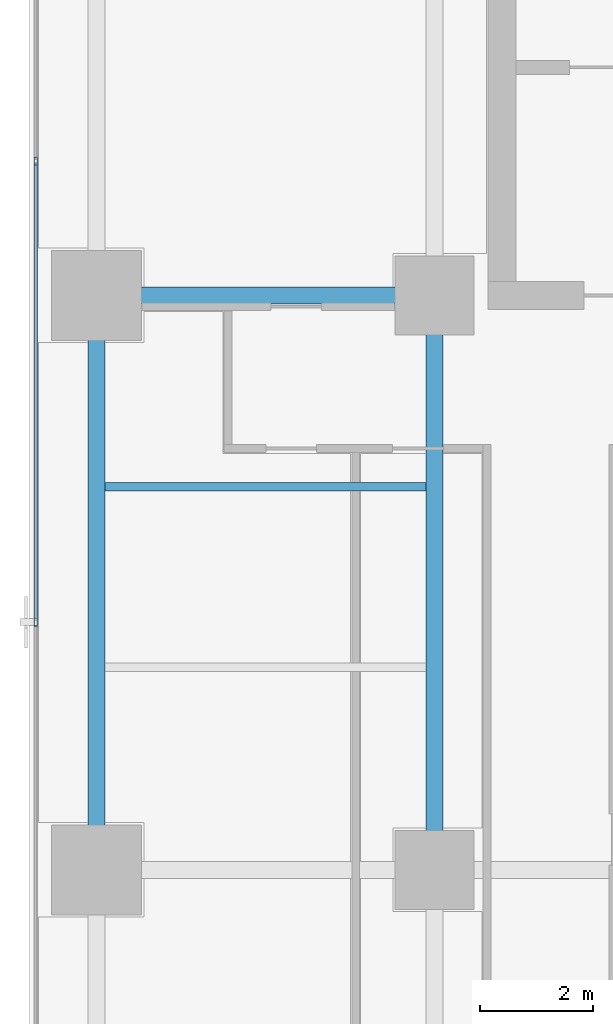
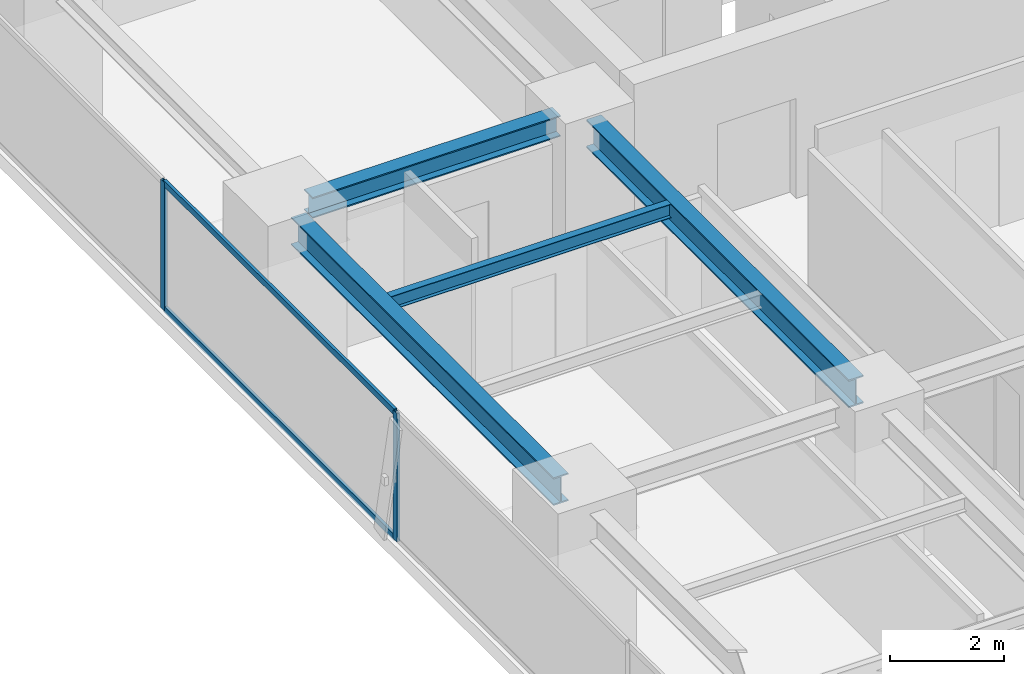
# One storey, part 8 of 30: 4 beams, 4 members, 1 element without a shape of its own.
"""IFC4 building model written with IfcOpenShell, lengths in metres."""

from ifc_helpers import new_model, si_unit, direction, frame, origin, origin_2d, place, context, subcontext, project, spatial, hollow_rectangle, i_section, extrude, source, transform, mapped, material, layer, layer_set, material_profile, profile_set, type_object, element, aggregate, save


model = new_model("IFC4")

# Units and contexts
model_context = context("Model", 3, precision=1e-05, world=origin(), true_north=direction((0.0, 1.0)))
body_context = subcontext(model_context, "Body", "Model", "MODEL_VIEW")
ifc_project = project(units=[si_unit("LENGTHUNIT", "METRE"), si_unit("AREAUNIT", "SQUARE_METRE"), si_unit("VOLUMEUNIT", "CUBIC_METRE"), si_unit("PLANEANGLEUNIT", "RADIAN"), si_unit("MASSUNIT", "GRAM", prefix="KILO")], contexts=[model_context])

# Site, building, storey
site_placement = place(None, origin())
site = spatial("IfcSite", under=ifc_project, at=site_placement, CompositionType="ELEMENT")
building_placement = place(site_placement, origin())
building = spatial("IfcBuilding", under=site, at=building_placement, Name="Sumidabori Civic Tower", CompositionType="ELEMENT")
storey_placement = place(building_placement, frame((0.0, 0.0, 196.39990234375)))
storey = spatial("IfcBuildingStorey", under=building, at=storey_placement, Name="L50", CompositionType="ELEMENT", Elevation=196.39990234375)

# Beams
ifc_material_1 = material(Name="Steel SN490", Category="steel")
ifc_material_profile_1 = material_profile(ifc_material_1, i_section(OverallWidth=0.300048828125, OverallDepth=0.60009765625, WebThickness=0.015380859375, FlangeThickness=0.030029296875, at=origin_2d()), Name="HE 600 B")
ifc_profile_set_1 = profile_set([ifc_material_profile_1], Name="Steel SN490")
beam_type_1 = type_object("IfcBeamType", Name="BM-GIRD-600", PredefinedType="BEAM", material=ifc_profile_set_1)
shared_shape_1 = source(origin(), body_context, "Body", "SweptSolid", [
    extrude(i_section(OverallWidth=0.300048828125, OverallDepth=0.60009765625, WebThickness=0.015380859375, FlangeThickness=0.030029296875, at=origin_2d()), origin(), (0.0, 0.0, 1.0), 9.239990234375),
])
for number, where, z_axis, x_axis, name in (
    (1, (-22.800048828125, 0.47998046875, 3.080078125), (0.0, 1.0, 0.0), (-1.0, 0.0, 0.0), "Primary Girder L50 GY-12"),
    (2, (-16.800048828125, 0.47998046875, 3.080078125), (0.0, 1.0, 0.0), (-1.0, 0.0, 0.0), "Primary Girder L50 GY-15"),
):
    element("IfcBeam", number, at=place(storey_placement, frame(where, z_axis=z_axis, x_axis=x_axis)), inside=storey, type_object=beam_type_1, Name=name, PredefinedType="BEAM", context=body_context, shape_type="MappedRepresentation", body=[
        mapped(shared_shape_1, transform((0.0, 0.0, 0.0), x_axis=(1.0, 0.0, 0.0), y_axis=(0.0, 1.0, 0.0), z_axis=(0.0, 0.0, 1.0), scale=1.0)),
    ])
ifc_material_profile_2 = material_profile(ifc_material_1, i_section(OverallWidth=0.14990234375, OverallDepth=0.300048828125, WebThickness=0.007080078125, FlangeThickness=0.0107421875, at=origin_2d()), Name="IPE 300")
ifc_profile_set_2 = profile_set([ifc_material_profile_2], Name="Steel SN490")
beam_type_2 = type_object("IfcBeamType", Name="BM-JST-300", PredefinedType="JOIST", material=ifc_profile_set_2)
shared_shape_2 = source(origin(), body_context, "Body", "SweptSolid", [
    extrude(i_section(OverallWidth=0.14990234375, OverallDepth=0.300048828125, WebThickness=0.007080078125, FlangeThickness=0.0107421875, at=origin_2d()), origin(), (0.0, 0.0, 1.0), 5.699951171875),
])
beam_1_placement = place(storey_placement, frame((-22.64990234375, 6.800048828125, 3.22998046875), z_axis=(1.0, 0.0, 0.0), x_axis=(0.0, 1.0, 0.0)))
element("IfcBeam", 3, at=beam_1_placement, inside=storey, type_object=beam_type_2, Name="Outer Bay Floor Joist L50 JSTO-31", PredefinedType="JOIST", context=body_context, shape_type="MappedRepresentation", body=[
    mapped(shared_shape_2, transform((0.0, 0.0, 0.0), x_axis=(1.0, 0.0, 0.0), y_axis=(0.0, 1.0, 0.0), z_axis=(0.0, 0.0, 1.0), scale=1.0)),
])
ifc_material_profile_3 = material_profile(ifc_material_1, i_section(OverallWidth=0.300048828125, OverallDepth=0.449951171875, WebThickness=0.013916015625, FlangeThickness=0.02587890625, at=origin_2d()), Name="HE 450 B")
ifc_profile_set_3 = profile_set([ifc_material_profile_3], Name="Steel SN490")
beam_type_3 = type_object("IfcBeamType", Name="BM-GIRD-450", PredefinedType="BEAM", material=ifc_profile_set_3)
shared_shape_3 = source(origin(), body_context, "Body", "SweptSolid", [
    extrude(i_section(OverallWidth=0.300048828125, OverallDepth=0.449951171875, WebThickness=0.013916015625, FlangeThickness=0.02587890625, at=origin_2d()), origin(), (0.0, 0.0, 1.0), 5.0400390625),
])
beam_2_placement = place(storey_placement, frame((-22.320068359375, 10.199951171875, 3.155029296875), z_axis=(1.0, 0.0, 0.0), x_axis=(0.0, 1.0, 0.0)))
element("IfcBeam", 4, at=beam_2_placement, inside=storey, type_object=beam_type_3, Name="Primary Girder L50 GX-09", PredefinedType="BEAM", context=body_context, shape_type="MappedRepresentation", body=[
    mapped(shared_shape_3, transform((0.0, 0.0, 0.0), x_axis=(1.0, 0.0, 0.0), y_axis=(0.0, 1.0, 0.0), z_axis=(0.0, 0.0, 1.0), scale=1.0)),
])

# Curtain wall, members
ifc_material_2 = material(Name="Anodised Bronze Aluminium AW-6063-T6", Category="aluminium")
ifc_layer = layer(ifc_material_2, 0.179931640625, Name="Anodised Bronze Aluminium AW-6063-T6")
ifc_layer_set = layer_set([ifc_layer], Name="Anodised Bronze Aluminium AW-6063-T6")
curtain_wall_type = type_object("IfcCurtainWallType", Name="CW-SYS-5", PredefinedType="NOTDEFINED", material=ifc_layer_set)
curtain_wall_placement = place(storey_placement, origin())
curtain_wall = element("IfcCurtainWall", 5, at=curtain_wall_placement, inside=storey, type_object=curtain_wall_type, Name="Curtain Wall CW:L50:R16", PredefinedType="NOTDEFINED")
ifc_material_profile_4 = material_profile(ifc_material_2, hollow_rectangle(XDim=0.06005859375, YDim=0.139892578125, WallThickness=0.0048828125, at=origin_2d()), Name="ALU MULLION 140x60")
ifc_profile_set_4 = profile_set([ifc_material_profile_4], Name="Anodised Bronze Aluminium AW-6063-T6")
member_type_1 = type_object("IfcMemberType", Name="CW-MUL-140", PredefinedType="MULLION", material=ifc_profile_set_4)
shared_shape_4 = source(origin(), body_context, "Body", "SweptSolid", [
    extrude(hollow_rectangle(XDim=0.06005859375, YDim=0.139892578125, WallThickness=0.0048828125, at=origin_2d()), origin(), (0.0, 0.0, 1.0), 2.760009765625),
])
member_1_placement = place(storey_placement, frame((-23.8798828125, 12.5849609375, 0.0), z_axis=(0.0, 0.0, 1.0), x_axis=(1.0, 0.0, 0.0)))
member_1 = element("IfcMember", 6, at=member_1_placement, type_object=member_type_1, Name="CW-5 mullion 2", PredefinedType="MULLION", context=body_context, shape_type="MappedRepresentation", body=[
    mapped(shared_shape_4, transform((0.0, 0.0, 0.0), x_axis=(1.0, 0.0, 0.0), y_axis=(0.0, 1.0, 0.0), z_axis=(0.0, 0.0, 1.0), scale=1.0)),
])
member_2_placement = place(storey_placement, frame((-23.8798828125, 4.39990234375, 0.0), z_axis=(0.0, 0.0, 1.0), x_axis=(1.0, 0.0, 0.0)))
member_2 = element("IfcMember", 7, at=member_2_placement, type_object=member_type_1, Name="CW-5 mullion 3", PredefinedType="MULLION", context=body_context, shape_type="MappedRepresentation", body=[
    mapped(shared_shape_4, transform((0.0, 0.0, 0.0), x_axis=(1.0, 0.0, 0.0), y_axis=(0.0, 1.0, 0.0), z_axis=(0.0, 0.0, 1.0), scale=1.0)),
])
ifc_material_profile_5 = material_profile(ifc_material_2, hollow_rectangle(XDim=0.06005859375, YDim=0.1298828125, WallThickness=0.0048828125, at=origin_2d()), Name="ALU TRANSOM 130x60")
ifc_profile_set_5 = profile_set([ifc_material_profile_5], Name="Anodised Bronze Aluminium AW-6063-T6")
member_type_2 = type_object("IfcMemberType", Name="CW-TRN-130", PredefinedType="USERDEFINED", material=ifc_profile_set_5)
shared_shape_5 = source(origin(), body_context, "Body", "SweptSolid", [
    extrude(hollow_rectangle(XDim=0.06005859375, YDim=0.1298828125, WallThickness=0.0048828125, at=origin_2d()), origin(), (0.0, 0.0, 1.0), 8.125),
])
member_3_placement = place(storey_placement, frame((-23.8798828125, 12.554931640625, 0.030029296875), z_axis=(0.0, -1.0, 0.0), x_axis=(1.0, 0.0, 0.0)))
member_3 = element("IfcMember", 8, at=member_3_placement, type_object=member_type_2, Name="CW-5 transom 2.1", ObjectType="TRANSOM", PredefinedType="USERDEFINED", context=body_context, shape_type="MappedRepresentation", body=[
    mapped(shared_shape_5, transform((0.0, 0.0, 0.0), x_axis=(1.0, 0.0, 0.0), y_axis=(0.0, 1.0, 0.0), z_axis=(0.0, 0.0, 1.0), scale=1.0)),
])
member_4_placement = place(storey_placement, frame((-23.8798828125, 12.554931640625, 2.72998046875), z_axis=(0.0, -1.0, 0.0), x_axis=(1.0, 0.0, 0.0)))
member_4 = element("IfcMember", 9, at=member_4_placement, type_object=member_type_2, Name="CW-5 transom 2.2", ObjectType="TRANSOM", PredefinedType="USERDEFINED", context=body_context, shape_type="MappedRepresentation", body=[
    mapped(shared_shape_5, transform((0.0, 0.0, 0.0), x_axis=(1.0, 0.0, 0.0), y_axis=(0.0, 1.0, 0.0), z_axis=(0.0, 0.0, 1.0), scale=1.0)),
])
aggregate(curtain_wall, [member_1, member_2, member_3, member_4])

save(model, "model.ifc")
